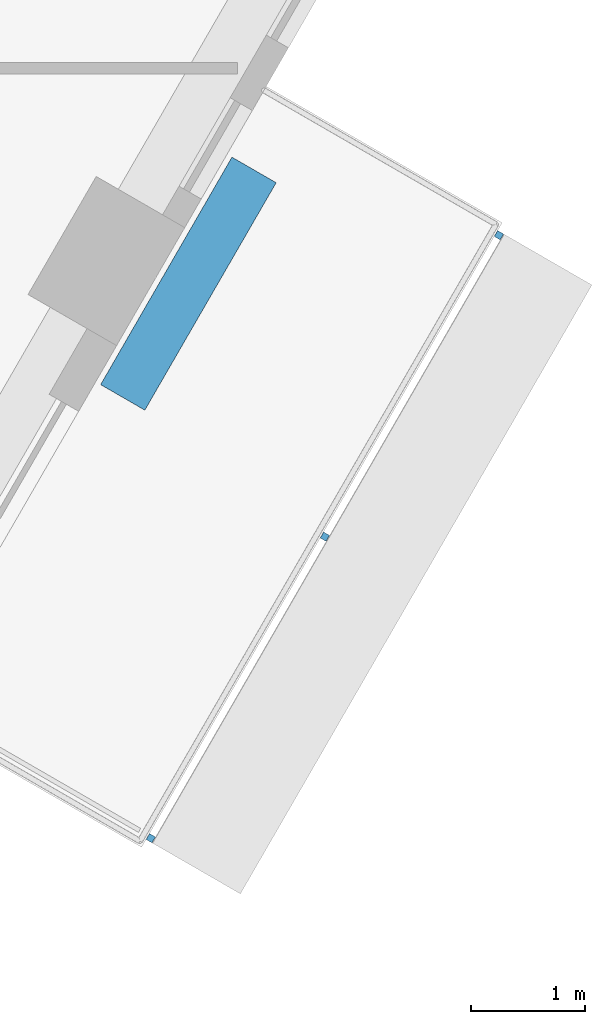
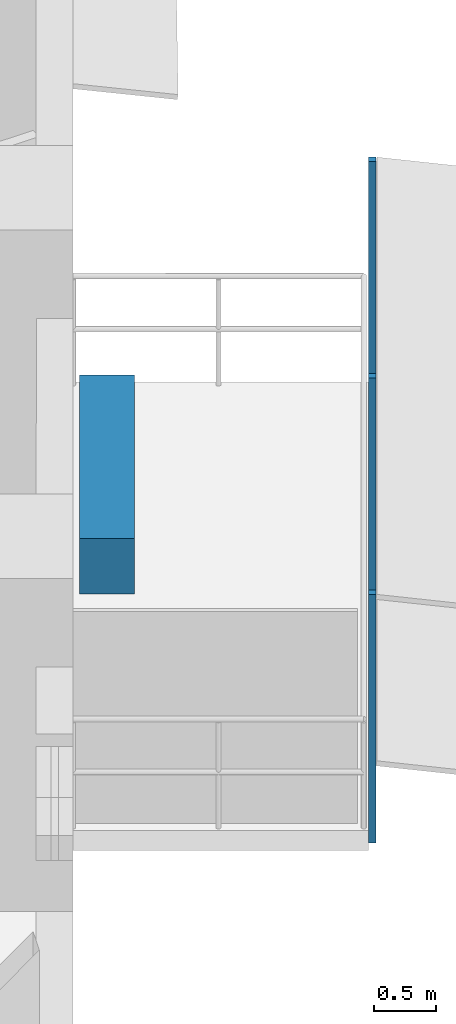
# One storey, part 12 of 16: 4 discrete accessories.
"""IFC4 building model written with IfcOpenShell, lengths in metres."""

from ifc_helpers import new_model, si_unit, direction, frame, origin, origin_2d, place, context, subcontext, project, spatial, rectangle, extrude, material, type_object, element, save


model = new_model("IFC4")

# Units and contexts
model_context = context("Model", 3, precision=1e-05, world=origin(), true_north=direction((0.0, 1.0)))
body_context = subcontext(model_context, "Body", "Model", "MODEL_VIEW")
ifc_project = project(units=[si_unit("LENGTHUNIT", "METRE"), si_unit("AREAUNIT", "SQUARE_METRE"), si_unit("VOLUMEUNIT", "CUBIC_METRE"), si_unit("PLANEANGLEUNIT", "RADIAN"), si_unit("MASSUNIT", "GRAM", prefix="KILO")], contexts=[model_context])

# Site, building, storey
site_placement = place(None, origin())
site = spatial("IfcSite", under=ifc_project, at=site_placement, CompositionType="ELEMENT")
building_placement = place(site_placement, origin())
building = spatial("IfcBuilding", under=site, at=building_placement, Name="Nakaniwa Court", CompositionType="ELEMENT")
storey_placement = place(building_placement, frame((0.0, 0.0, 193.199951171875)))
storey = spatial("IfcBuildingStorey", under=building, at=storey_placement, Name="L50", CompositionType="ELEMENT", Elevation=193.199951171875)

# Discrete accessories
ifc_material_1 = material(Name="Black powder-coated steel bracket S275", Category="steel")
discrete_accessory_type_1 = type_object("IfcDiscreteAccessoryType", Name="Black metal louvre bracket", PredefinedType="BRACKET", material=ifc_material_1)
for number, where, z_axis, x_axis, name in (
    (1, (99.5302734375, 63.66748046875, -0.229736328125), (0.0, 0.0, 1.0), (0.500016626402, 0.866015804314, 0.0), "L50 louvre bracket 02 1"),
    (2, (101.063232421875, 66.322509765625, -0.229736328125), (0.0, 0.0, 1.0), (0.500016626402, 0.866015804314, 0.0), "L50 louvre bracket 02 2"),
    (3, (102.59619140625, 68.977783203125, -0.229736328125), (0.0, 0.0, 1.0), (0.500016626402, 0.866015804314, 0.0), "L50 louvre bracket 02 3"),
):
    element("IfcDiscreteAccessory", number, at=place(storey_placement, frame(where, z_axis=z_axis, x_axis=x_axis)), inside=storey, type_object=discrete_accessory_type_1, Name=name, PredefinedType="BRACKET", context=body_context, shape_type="SweptSolid", body=[
        extrude(rectangle(XDim=0.06005859375, YDim=0.06005859375, at=origin_2d()), origin(), (0.0, 0.0, 1.0), 2.46337890625),
    ])
ifc_material_2 = material(Name="Precast concrete C40/50 planter with planted soil", Category="concrete")
discrete_accessory_type_2 = type_object("IfcDiscreteAccessoryType", Name="Planter box charcoal concrete", PredefinedType="USERDEFINED", material=ifc_material_2)
discrete_accessory_placement = place(storey_placement, frame((99.861572265625, 68.551025390625, -0.0498046875), z_axis=(0.0, 0.0, 1.0), x_axis=(0.500016626402, 0.866015804314, 0.0)))
element("IfcDiscreteAccessory", 4, at=discrete_accessory_placement, inside=storey, type_object=discrete_accessory_type_2, Name="L50 balcony PLANTER 02", ObjectType="PLANTER", PredefinedType="USERDEFINED", context=body_context, shape_type="SweptSolid", body=[
    extrude(rectangle(XDim=2.3134765625, YDim=0.449951171875, at=origin_2d()), origin(), (0.0, 0.0, 1.0), 0.550048828125),
])

save(model, "model.ifc")
